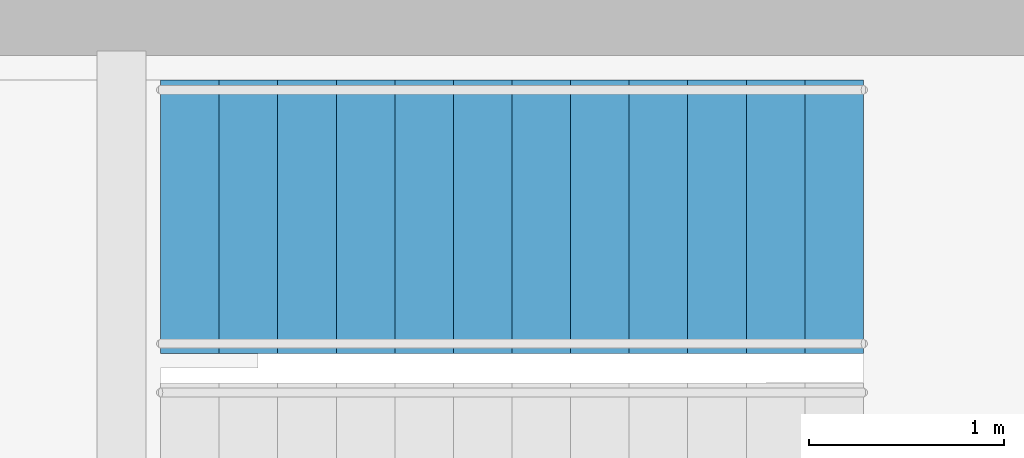
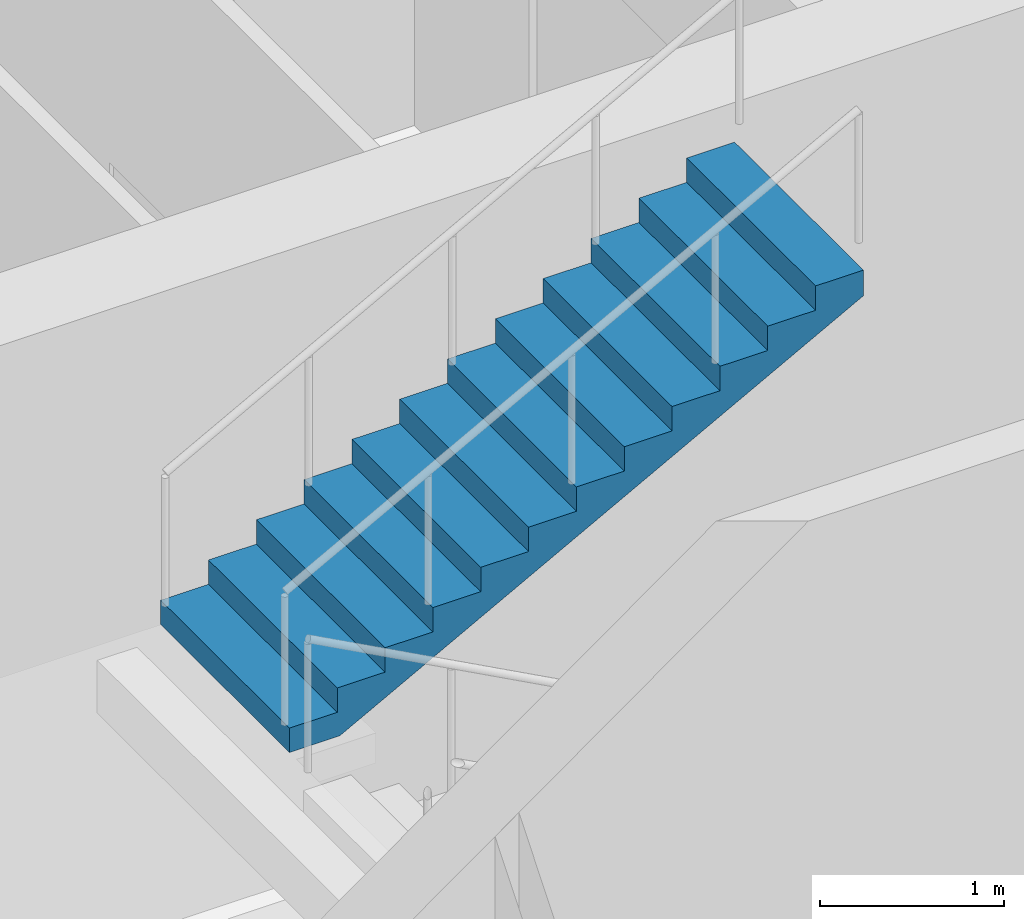
# One storey, part 11 of 13: 1 stair flight, 1 element without a shape of its own.
"""IFC4 building model written with IfcOpenShell, lengths in metres."""

from ifc_helpers import new_model, si_unit, direction, frame, origin, place, context, subcontext, project, spatial, polyline, outline, extrude, material, type_object, element, aggregate, save


model = new_model("IFC4")

# Units and contexts
model_context = context("Model", 3, precision=1e-05, world=origin(), true_north=direction((0.0, 1.0)))
body_context = subcontext(model_context, "Body", "Model", "MODEL_VIEW")
ifc_project = project(units=[si_unit("LENGTHUNIT", "METRE"), si_unit("AREAUNIT", "SQUARE_METRE"), si_unit("VOLUMEUNIT", "CUBIC_METRE"), si_unit("PLANEANGLEUNIT", "RADIAN"), si_unit("MASSUNIT", "GRAM", prefix="KILO")], contexts=[model_context])

# Site, building, storey
site_placement = place(None, origin())
site = spatial("IfcSite", under=ifc_project, at=site_placement, CompositionType="ELEMENT")
building_placement = place(site_placement, origin())
building = spatial("IfcBuilding", under=site, at=building_placement, Name="Msitu Wima Residences", CompositionType="ELEMENT")
storey_placement = place(building_placement, frame((0.0, 0.0, 285.300048828125)))
storey = spatial("IfcBuildingStorey", under=building, at=storey_placement, Name="L66", CompositionType="ELEMENT", Elevation=285.300048828125)

# Stair, stair flight
ifc_material = material(Name="Concrete C40/50", Category="concrete")
stair_type = type_object("IfcStairType", Name="Exit stair ES1615-140", PredefinedType="HALF_TURN_STAIR", material=ifc_material)
stair_placement = place(storey_placement, origin())
stair = element("IfcStair", 1, at=stair_placement, inside=storey, type_object=stair_type, Name="Exit stair 3", PredefinedType="HALF_TURN_STAIR")
stair_flight_type = type_object("IfcStairFlightType", Name="Exit stair flight ES1615-140", PredefinedType="STRAIGHT", material=ifc_material)
stair_flight_placement = place(storey_placement, frame((8.27490234375, 10.574951171875, 2.099853515625), z_axis=(0.0, 0.0, 1.0), x_axis=(1.0, 0.0, 0.0)))
stair_flight = element("IfcStairFlight", 2, at=stair_flight_placement, type_object=stair_flight_type, Name="S3 flight 2", NumberOfRisers=13, NumberOfTreads=12, PredefinedType="STRAIGHT", RiserHeight=0.161538462, TreadLength=0.3, context=body_context, shape_type="SweptSolid", body=[
    extrude(outline(polyline([(0.0, 0.0), (0.0, 0.16162109375), (0.300048828125, 0.16162109375), (0.300048828125, 0.322998046875), (0.60009765625, 0.322998046875), (0.60009765625, 0.484619140625), (0.89990234375, 0.484619140625), (0.89990234375, 0.646240234375), (1.199951171875, 0.646240234375), (1.199951171875, 0.8076171875), (1.5, 0.8076171875), (1.5, 0.96923828125), (1.800048828125, 0.96923828125), (1.800048828125, 1.130859375), (2.10009765625, 1.130859375), (2.10009765625, 1.292236328125), (2.39990234375, 1.292236328125), (2.39990234375, 1.453857421875), (2.699951171875, 1.453857421875), (2.699951171875, 1.615478515625), (3.0, 1.615478515625), (3.0, 1.77685546875), (3.300048828125, 1.77685546875), (3.300048828125, 1.9384765625), (3.60009765625, 1.9384765625), (3.60009765625, 2.10009765625), (3.60009765625, 1.768310546875), (0.316162109375, 0.0), (0.0, 0.0)])), frame((0.0, 0.699951171875, 0.0), z_axis=(0.0, -1.0, 0.0), x_axis=(1.0, 0.0, 0.0)), (0.0, 0.0, 1.0), 1.39990234375),
])
aggregate(stair, [stair_flight])

save(model, "model.ifc")
